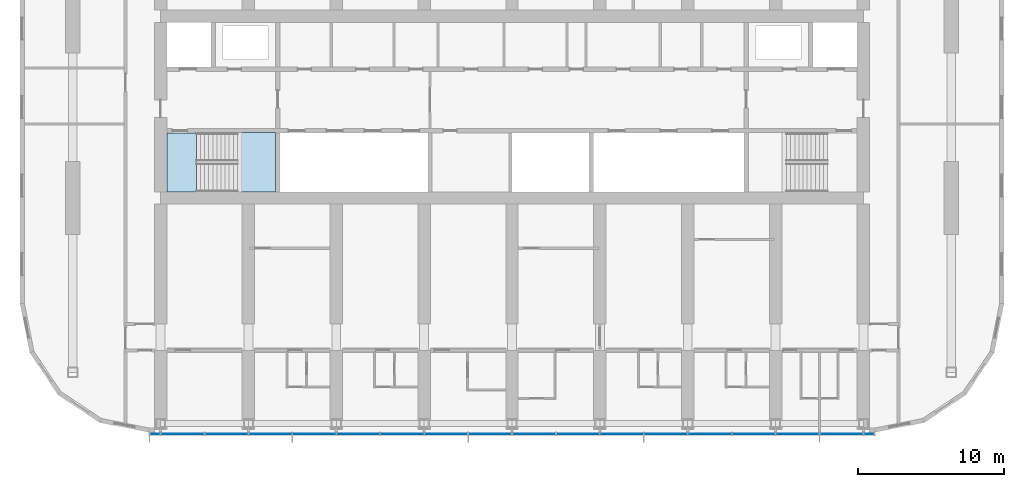
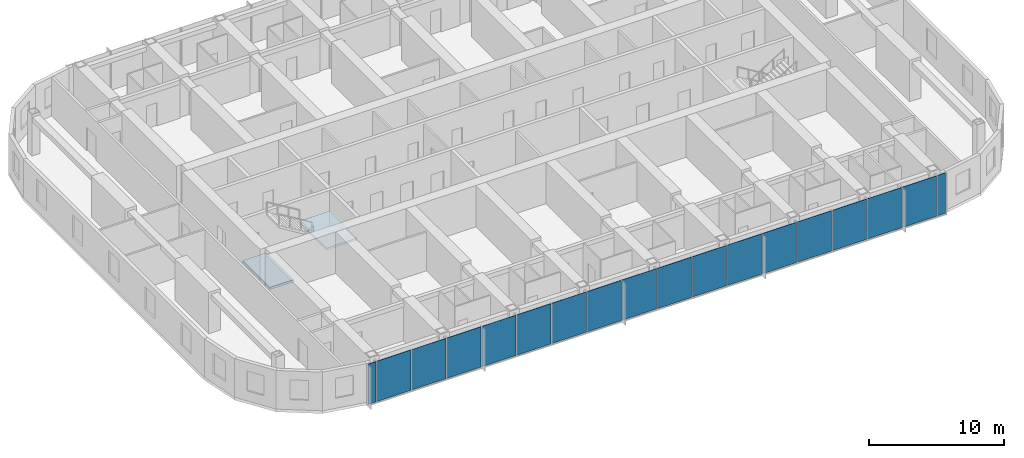
# One storey, part 7 of 22: 18 plates, 2 slabs, 2 elements without a shape of their own.
"""IFC4 building model written with IfcOpenShell, lengths in metres."""

from ifc_helpers import new_model, si_unit, direction, frame, origin, origin_2d, place, context, subcontext, project, spatial, polyline, rectangle, outline, extrude, material, layer, layer_set, type_object, element, aggregate, save


model = new_model("IFC4")

# Units and contexts
model_context = context("Model", 3, precision=1e-05, world=origin(), true_north=direction((0.0, 1.0)))
body_context = subcontext(model_context, "Body", "Model", "MODEL_VIEW")
ifc_project = project(units=[si_unit("LENGTHUNIT", "METRE"), si_unit("AREAUNIT", "SQUARE_METRE"), si_unit("VOLUMEUNIT", "CUBIC_METRE"), si_unit("PLANEANGLEUNIT", "RADIAN"), si_unit("MASSUNIT", "GRAM", prefix="KILO")], contexts=[model_context])

# Site, building, storey
site_placement = place(None, origin())
site = spatial("IfcSite", under=ifc_project, at=site_placement, CompositionType="ELEMENT")
building_placement = place(site_placement, origin())
building = spatial("IfcBuilding", under=site, at=building_placement, Name="Orbita Commons", CompositionType="ELEMENT")
storey_placement = place(building_placement, frame((0.0, 0.0, 186.10009765625)))
storey = spatial("IfcBuildingStorey", under=building, at=storey_placement, Name="L46", CompositionType="ELEMENT", Elevation=186.10009765625)

# Curtain wall, plates
ifc_material_1 = material(Name="Anodised aluminium frame, pale silver", Category="aluminium")
curtain_wall_type = type_object("IfcCurtainWallType", Name="Unitised curtain wall CW-U, full-height vision", PredefinedType="NOTDEFINED", material=ifc_material_1)
curtain_wall_placement = place(storey_placement, origin())
curtain_wall = element("IfcCurtainWall", 1, at=curtain_wall_placement, inside=storey, type_object=curtain_wall_type, Name="Curtain wall south L46", PredefinedType="NOTDEFINED")
ifc_material_2 = material(Name="Clear double glazing", Category="glass")
ifc_layer_1 = layer(ifc_material_2, 0.031982421875)
ifc_layer_set_1 = layer_set([ifc_layer_1], Name="Clear double glazing")
plate_type = type_object("IfcPlateType", Name="Full-height vision panel, clear glazing 32", PredefinedType="CURTAIN_PANEL", material=ifc_layer_set_1)
plate_1_placement = place(storey_placement, frame((17.6201171875, 9.68994140625, -0.150146484375), z_axis=(0.0, 0.0, 1.0), x_axis=(1.0, 0.0, 0.0)))
plate_1 = element("IfcPlate", 2, at=plate_1_placement, type_object=plate_type, Name="Panel 1.1 CW-L46-S", PredefinedType="CURTAIN_PANEL", context=body_context, shape_type="SweptSolid", body=[
    extrude(rectangle(XDim=0.679931640625, YDim=0.031982421875, at=origin_2d()), origin(), (0.0, 0.0, 1.0), 3.64990234375),
])
plate_2_placement = place(storey_placement, frame((19.5, 9.68994140625, -0.150146484375), z_axis=(0.0, 0.0, 1.0), x_axis=(1.0, 0.0, 0.0)))
plate_2 = element("IfcPlate", 3, at=plate_2_placement, type_object=plate_type, Name="Panel 2.1 CW-L46-S", PredefinedType="CURTAIN_PANEL", context=body_context, shape_type="SweptSolid", body=[
    extrude(rectangle(XDim=2.919921875, YDim=0.031982421875, at=origin_2d()), origin(), (0.0, 0.0, 1.0), 3.64990234375),
])
plate_3_placement = place(storey_placement, frame((22.5, 9.68994140625, -0.150146484375), z_axis=(0.0, 0.0, 1.0), x_axis=(1.0, 0.0, 0.0)))
plate_3 = element("IfcPlate", 4, at=plate_3_placement, type_object=plate_type, Name="Panel 3.1 CW-L46-S", PredefinedType="CURTAIN_PANEL", context=body_context, shape_type="SweptSolid", body=[
    extrude(rectangle(XDim=2.919921875, YDim=0.031982421875, at=origin_2d()), origin(), (0.0, 0.0, 1.0), 3.64990234375),
])
plate_4_placement = place(storey_placement, frame((25.5, 9.68994140625, -0.150146484375), z_axis=(0.0, 0.0, 1.0), x_axis=(1.0, 0.0, 0.0)))
plate_4 = element("IfcPlate", 5, at=plate_4_placement, type_object=plate_type, Name="Panel 4.1 CW-L46-S", PredefinedType="CURTAIN_PANEL", context=body_context, shape_type="SweptSolid", body=[
    extrude(rectangle(XDim=2.919921875, YDim=0.031982421875, at=origin_2d()), origin(), (0.0, 0.0, 1.0), 3.64990234375),
])
plate_5_placement = place(storey_placement, frame((28.5, 9.68994140625, -0.150146484375), z_axis=(0.0, 0.0, 1.0), x_axis=(1.0, 0.0, 0.0)))
plate_5 = element("IfcPlate", 6, at=plate_5_placement, type_object=plate_type, Name="Panel 5.1 CW-L46-S", PredefinedType="CURTAIN_PANEL", context=body_context, shape_type="SweptSolid", body=[
    extrude(rectangle(XDim=2.919921875, YDim=0.031982421875, at=origin_2d()), origin(), (0.0, 0.0, 1.0), 3.64990234375),
])
plate_6_placement = place(storey_placement, frame((31.5, 9.68994140625, -0.150146484375), z_axis=(0.0, 0.0, 1.0), x_axis=(1.0, 0.0, 0.0)))
plate_6 = element("IfcPlate", 7, at=plate_6_placement, type_object=plate_type, Name="Panel 6.1 CW-L46-S", PredefinedType="CURTAIN_PANEL", context=body_context, shape_type="SweptSolid", body=[
    extrude(rectangle(XDim=2.919921875, YDim=0.031982421875, at=origin_2d()), origin(), (0.0, 0.0, 1.0), 3.64990234375),
])
plate_7_placement = place(storey_placement, frame((34.5, 9.68994140625, -0.150146484375), z_axis=(0.0, 0.0, 1.0), x_axis=(1.0, 0.0, 0.0)))
plate_7 = element("IfcPlate", 8, at=plate_7_placement, type_object=plate_type, Name="Panel 7.1 CW-L46-S", PredefinedType="CURTAIN_PANEL", context=body_context, shape_type="SweptSolid", body=[
    extrude(rectangle(XDim=2.919921875, YDim=0.031982421875, at=origin_2d()), origin(), (0.0, 0.0, 1.0), 3.64990234375),
])
plate_8_placement = place(storey_placement, frame((37.5, 9.68994140625, -0.150146484375), z_axis=(0.0, 0.0, 1.0), x_axis=(1.0, 0.0, 0.0)))
plate_8 = element("IfcPlate", 9, at=plate_8_placement, type_object=plate_type, Name="Panel 8.1 CW-L46-S", PredefinedType="CURTAIN_PANEL", context=body_context, shape_type="SweptSolid", body=[
    extrude(rectangle(XDim=2.919921875, YDim=0.031982421875, at=origin_2d()), origin(), (0.0, 0.0, 1.0), 3.64990234375),
])
plate_9_placement = place(storey_placement, frame((40.5, 9.68994140625, -0.150146484375), z_axis=(0.0, 0.0, 1.0), x_axis=(1.0, 0.0, 0.0)))
plate_9 = element("IfcPlate", 10, at=plate_9_placement, type_object=plate_type, Name="Panel 9.1 CW-L46-S", PredefinedType="CURTAIN_PANEL", context=body_context, shape_type="SweptSolid", body=[
    extrude(rectangle(XDim=2.919921875, YDim=0.031982421875, at=origin_2d()), origin(), (0.0, 0.0, 1.0), 3.64990234375),
])
plate_10_placement = place(storey_placement, frame((43.5, 9.68994140625, -0.150146484375), z_axis=(0.0, 0.0, 1.0), x_axis=(1.0, 0.0, 0.0)))
plate_10 = element("IfcPlate", 11, at=plate_10_placement, type_object=plate_type, Name="Panel 10.1 CW-L46-S", PredefinedType="CURTAIN_PANEL", context=body_context, shape_type="SweptSolid", body=[
    extrude(rectangle(XDim=2.919921875, YDim=0.031982421875, at=origin_2d()), origin(), (0.0, 0.0, 1.0), 3.64990234375),
])
plate_11_placement = place(storey_placement, frame((46.5, 9.68994140625, -0.150146484375), z_axis=(0.0, 0.0, 1.0), x_axis=(1.0, 0.0, 0.0)))
plate_11 = element("IfcPlate", 12, at=plate_11_placement, type_object=plate_type, Name="Panel 11.1 CW-L46-S", PredefinedType="CURTAIN_PANEL", context=body_context, shape_type="SweptSolid", body=[
    extrude(rectangle(XDim=2.919921875, YDim=0.031982421875, at=origin_2d()), origin(), (0.0, 0.0, 1.0), 3.64990234375),
])
plate_12_placement = place(storey_placement, frame((49.5, 9.68994140625, -0.150146484375), z_axis=(0.0, 0.0, 1.0), x_axis=(1.0, 0.0, 0.0)))
plate_12 = element("IfcPlate", 13, at=plate_12_placement, type_object=plate_type, Name="Panel 12.1 CW-L46-S", PredefinedType="CURTAIN_PANEL", context=body_context, shape_type="SweptSolid", body=[
    extrude(rectangle(XDim=2.919921875, YDim=0.031982421875, at=origin_2d()), origin(), (0.0, 0.0, 1.0), 3.64990234375),
])
plate_13_placement = place(storey_placement, frame((52.5, 9.68994140625, -0.150146484375), z_axis=(0.0, 0.0, 1.0), x_axis=(1.0, 0.0, 0.0)))
plate_13 = element("IfcPlate", 14, at=plate_13_placement, type_object=plate_type, Name="Panel 13.1 CW-L46-S", PredefinedType="CURTAIN_PANEL", context=body_context, shape_type="SweptSolid", body=[
    extrude(rectangle(XDim=2.919921875, YDim=0.031982421875, at=origin_2d()), origin(), (0.0, 0.0, 1.0), 3.64990234375),
])
plate_14_placement = place(storey_placement, frame((55.5, 9.68994140625, -0.150146484375), z_axis=(0.0, 0.0, 1.0), x_axis=(1.0, 0.0, 0.0)))
plate_14 = element("IfcPlate", 15, at=plate_14_placement, type_object=plate_type, Name="Panel 14.1 CW-L46-S", PredefinedType="CURTAIN_PANEL", context=body_context, shape_type="SweptSolid", body=[
    extrude(rectangle(XDim=2.919921875, YDim=0.031982421875, at=origin_2d()), origin(), (0.0, 0.0, 1.0), 3.64990234375),
])
plate_15_placement = place(storey_placement, frame((58.5, 9.68994140625, -0.150146484375), z_axis=(0.0, 0.0, 1.0), x_axis=(1.0, 0.0, 0.0)))
plate_15 = element("IfcPlate", 16, at=plate_15_placement, type_object=plate_type, Name="Panel 15.1 CW-L46-S", PredefinedType="CURTAIN_PANEL", context=body_context, shape_type="SweptSolid", body=[
    extrude(rectangle(XDim=2.919921875, YDim=0.031982421875, at=origin_2d()), origin(), (0.0, 0.0, 1.0), 3.64990234375),
])
plate_16_placement = place(storey_placement, frame((61.5, 9.68994140625, -0.150146484375), z_axis=(0.0, 0.0, 1.0), x_axis=(1.0, 0.0, 0.0)))
plate_16 = element("IfcPlate", 17, at=plate_16_placement, type_object=plate_type, Name="Panel 16.1 CW-L46-S", PredefinedType="CURTAIN_PANEL", context=body_context, shape_type="SweptSolid", body=[
    extrude(rectangle(XDim=2.919921875, YDim=0.031982421875, at=origin_2d()), origin(), (0.0, 0.0, 1.0), 3.64990234375),
])
plate_17_placement = place(storey_placement, frame((64.5, 9.68994140625, -0.150146484375), z_axis=(0.0, 0.0, 1.0), x_axis=(1.0, 0.0, 0.0)))
plate_17 = element("IfcPlate", 18, at=plate_17_placement, type_object=plate_type, Name="Panel 17.1 CW-L46-S", PredefinedType="CURTAIN_PANEL", context=body_context, shape_type="SweptSolid", body=[
    extrude(rectangle(XDim=2.919921875, YDim=0.031982421875, at=origin_2d()), origin(), (0.0, 0.0, 1.0), 3.64990234375),
])
plate_18_placement = place(storey_placement, frame((66.3798828125, 9.68994140625, -0.150146484375), z_axis=(0.0, 0.0, 1.0), x_axis=(1.0, 0.0, 0.0)))
plate_18 = element("IfcPlate", 19, at=plate_18_placement, type_object=plate_type, Name="Panel 18.1 CW-L46-S", PredefinedType="CURTAIN_PANEL", context=body_context, shape_type="SweptSolid", body=[
    extrude(rectangle(XDim=0.679931640625, YDim=0.031982421875, at=origin_2d()), origin(), (0.0, 0.0, 1.0), 3.64990234375),
])
aggregate(curtain_wall, [plate_1, plate_2, plate_3, plate_4, plate_5, plate_6, plate_7, plate_8, plate_9, plate_10, plate_11, plate_12, plate_13, plate_14, plate_15, plate_16, plate_17, plate_18])

# Stair, slabs
ifc_material_3 = material(Name="Precast concrete C40/50", Category="concrete")
stair_type = type_object("IfcStairType", Name="Exit stair S1 2 flights 11 risers 170", PredefinedType="HALF_TURN_STAIR", material=ifc_material_3)
stair_placement = place(storey_placement, origin())
stair = element("IfcStair", 20, at=stair_placement, inside=storey, type_object=stair_type, Name="Exit stair S1 L46", PredefinedType="HALF_TURN_STAIR")
ifc_material_4 = material(Name="Concrete C40/50", Category="concrete")
ifc_layer_2 = layer(ifc_material_4, 0.199951171875)
ifc_layer_set_2 = layer_set([ifc_layer_2], Name="Concrete C40/50")
slab_type = type_object("IfcSlabType", Name="Stair landing 200", PredefinedType="LANDING", material=ifc_layer_set_2)
slab_1_placement = place(storey_placement, frame((0.0, 0.0, -0.2001953125)))
slab_1 = element("IfcSlab", 21, at=slab_1_placement, type_object=slab_type, Name="S1 landing 1", PredefinedType="LANDING", context=body_context, shape_type="SweptSolid", body=[
    extrude(outline(polyline([(18.425048828125, 26.22509765625), (20.449951171875, 26.22509765625), (20.449951171875, 30.25), (18.425048828125, 30.25), (18.425048828125, 26.22509765625)])), origin(), (0.0, 0.0, 1.0), 0.2001953125),
])
slab_2_placement = place(storey_placement, frame((0.0, 0.0, 1.6748046875)))
slab_2 = element("IfcSlab", 22, at=slab_2_placement, type_object=slab_type, Name="S1 landing 2", PredefinedType="LANDING", context=body_context, shape_type="SweptSolid", body=[
    extrude(outline(polyline([(23.25, 26.2099609375), (25.864990234375, 26.2099609375), (25.864990234375, 30.264892578125), (23.25, 30.264892578125), (23.25, 26.2099609375)])), origin(), (0.0, 0.0, 1.0), 0.2001953125),
])
aggregate(stair, [slab_1, slab_2])

save(model, "model.ifc")
